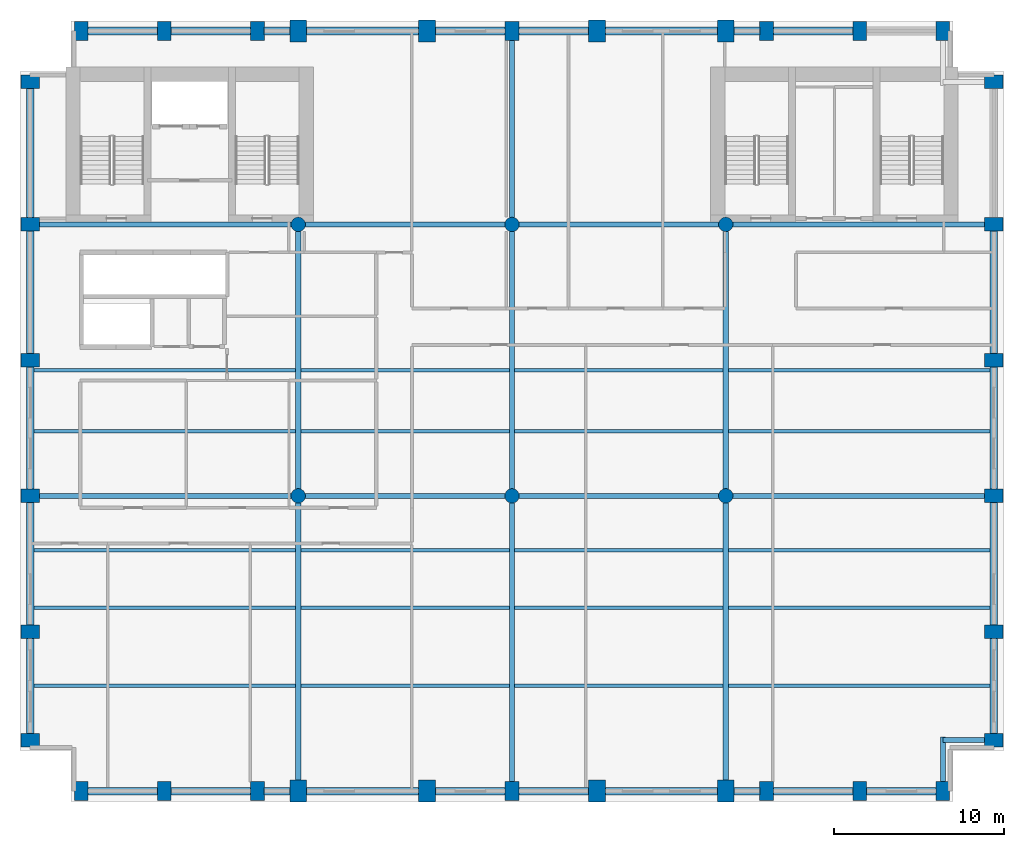
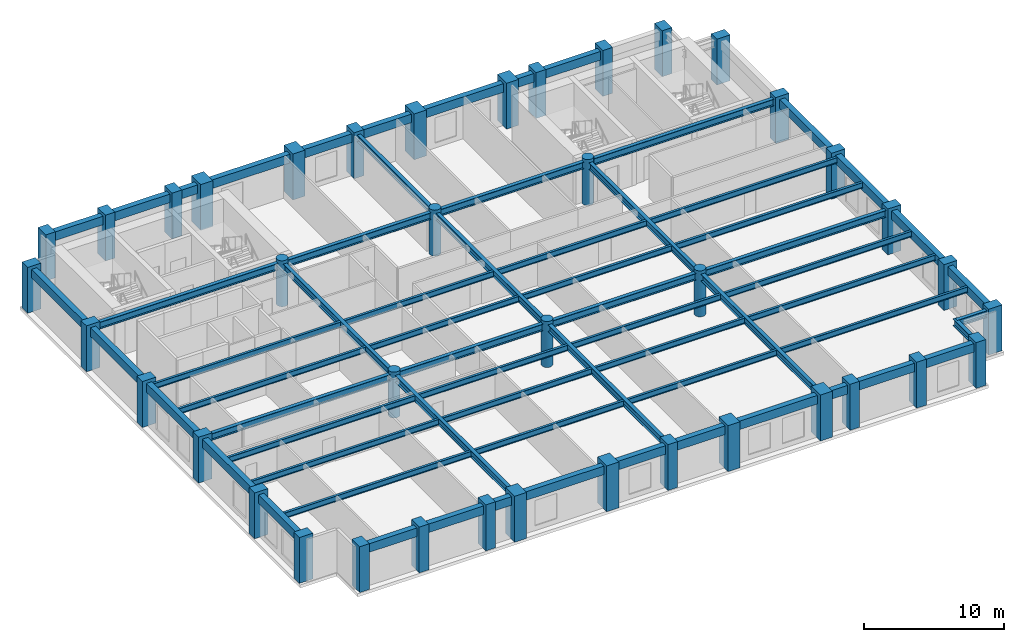
# One storey, part 1 of 8: 65 beams, 40 columns.
"""IFC4 building model written with IfcOpenShell, lengths in metres."""

from ifc_helpers import new_model, si_unit, direction, frame, origin, origin_2d, place, context, subcontext, project, spatial, rectangle, circle, i_section, extrude, material, material_profile, profile_set, type_object, element, save


model = new_model("IFC4")

# Units and contexts
model_context = context("Model", 3, precision=1e-05, world=origin(), true_north=direction((0.0, 1.0)))
body_context = subcontext(model_context, "Body", "Model", "MODEL_VIEW")
ifc_project = project(units=[si_unit("LENGTHUNIT", "METRE"), si_unit("AREAUNIT", "SQUARE_METRE"), si_unit("VOLUMEUNIT", "CUBIC_METRE"), si_unit("PLANEANGLEUNIT", "RADIAN"), si_unit("MASSUNIT", "GRAM", prefix="KILO")], contexts=[model_context])

# Site, building, storey
site_placement = place(None, origin())
site = spatial("IfcSite", under=ifc_project, at=site_placement, CompositionType="ELEMENT")
building_placement = place(site_placement, origin())
building = spatial("IfcBuilding", under=site, at=building_placement, Name="Sulina Concourse Tower", CompositionType="ELEMENT")
storey_placement = place(building_placement, frame((0.0, 0.0, 174.60009765625)))
storey = spatial("IfcBuildingStorey", under=building, at=storey_placement, Name="L42", CompositionType="ELEMENT", Elevation=174.60009765625)

# Columns
ifc_material_1 = material(Name="Precast concrete C60/75", Category="concrete")
ifc_material_profile_1 = material_profile(ifc_material_1, rectangle(XDim=0.800048828125, YDim=1.10009765625, at=origin_2d()), Name="PC 800x1100")
ifc_profile_set_1 = profile_set([ifc_material_profile_1], Name="Precast concrete C60/75")
column_type_1 = type_object("IfcColumnType", Name="Precast Tube Pier Zone 3 800x1100", PredefinedType="COLUMN", material=ifc_profile_set_1)
for number, where, z_axis, x_axis, name in (
    (1, (3.60009765625, 0.60009765625, 0.0), (0.0, 0.0, 1.0), (1.0, 0.0, 0.0), "L42 structural column TP-S-36"),
    (2, (3.60009765625, 45.39990234375, 0.0), (0.0, 0.0, 1.0), (1.0, 0.0, 0.0), "L42 structural column TP-N-36"),
    (3, (8.5, 0.60009765625, 0.0), (0.0, 0.0, 1.0), (1.0, 0.0, 0.0), "L42 structural column TP-S-85"),
    (4, (8.5, 45.39990234375, 0.0), (0.0, 0.0, 1.0), (1.0, 0.0, 0.0), "L42 structural column TP-N-85"),
    (5, (14.0, 0.60009765625, 0.0), (0.0, 0.0, 1.0), (1.0, 0.0, 0.0), "L42 structural column TP-S-140"),
    (6, (14.0, 45.39990234375, 0.0), (0.0, 0.0, 1.0), (1.0, 0.0, 0.0), "L42 structural column TP-N-140"),
    (7, (29.0, 0.60009765625, 0.0), (0.0, 0.0, 1.0), (1.0, 0.0, 0.0), "L42 structural column TP-S-290"),
    (8, (29.0, 45.39990234375, 0.0), (0.0, 0.0, 1.0), (1.0, 0.0, 0.0), "L42 structural column TP-N-290"),
    (9, (44.0, 0.60009765625, 0.0), (0.0, 0.0, 1.0), (1.0, 0.0, 0.0), "L42 structural column TP-S-440"),
    (10, (44.0, 45.39990234375, 0.0), (0.0, 0.0, 1.0), (1.0, 0.0, 0.0), "L42 structural column TP-N-440"),
    (11, (49.5, 0.60009765625, 0.0), (0.0, 0.0, 1.0), (1.0, 0.0, 0.0), "L42 structural column TP-S-495"),
    (12, (49.5, 45.39990234375, 0.0), (0.0, 0.0, 1.0), (1.0, 0.0, 0.0), "L42 structural column TP-N-495"),
    (13, (54.39990234375, 0.60009765625, 0.0), (0.0, 0.0, 1.0), (1.0, 0.0, 0.0), "L42 structural column TP-S-544"),
    (14, (54.39990234375, 45.39990234375, 0.0), (0.0, 0.0, 1.0), (1.0, 0.0, 0.0), "L42 structural column TP-N-544"),
    (15, (0.60009765625, 3.60009765625, 0.0), (0.0, 0.0, 1.0), (0.0, 1.0, 0.0), "L42 structural column TP-W-36"),
    (16, (57.39990234375, 3.60009765625, 0.0), (0.0, 0.0, 1.0), (0.0, 1.0, 0.0), "L42 structural column TP-E-36"),
    (17, (0.60009765625, 10.0, 0.0), (0.0, 0.0, 1.0), (0.0, 1.0, 0.0), "L42 structural column TP-W-100"),
    (18, (57.39990234375, 10.0, 0.0), (0.0, 0.0, 1.0), (0.0, 1.0, 0.0), "L42 structural column TP-E-100"),
    (19, (0.60009765625, 18.0, 0.0), (0.0, 0.0, 1.0), (0.0, 1.0, 0.0), "L42 structural column TP-W-180"),
    (20, (57.39990234375, 18.0, 0.0), (0.0, 0.0, 1.0), (0.0, 1.0, 0.0), "L42 structural column TP-E-180"),
    (21, (0.60009765625, 26.0, 0.0), (0.0, 0.0, 1.0), (0.0, 1.0, 0.0), "L42 structural column TP-W-260"),
    (22, (57.39990234375, 26.0, 0.0), (0.0, 0.0, 1.0), (0.0, 1.0, 0.0), "L42 structural column TP-E-260"),
    (23, (0.60009765625, 34.0, 0.0), (0.0, 0.0, 1.0), (0.0, 1.0, 0.0), "L42 structural column TP-W-340"),
    (24, (57.39990234375, 34.0, 0.0), (0.0, 0.0, 1.0), (0.0, 1.0, 0.0), "L42 structural column TP-E-340"),
    (25, (0.60009765625, 42.39990234375, 0.0), (0.0, 0.0, 1.0), (0.0, 1.0, 0.0), "L42 structural column TP-W-424"),
    (26, (57.39990234375, 42.39990234375, 0.0), (0.0, 0.0, 1.0), (0.0, 1.0, 0.0), "L42 structural column TP-E-424"),
):
    element("IfcColumn", number, at=place(storey_placement, frame(where, z_axis=z_axis, x_axis=x_axis)), inside=storey, type_object=column_type_1, Name=name, PredefinedType="COLUMN", context=body_context, shape_type="SweptSolid", body=[
        extrude(rectangle(XDim=0.800048828125, YDim=1.10009765625, at=origin_2d()), origin(), (0.0, 0.0, 1.0), 4.0),
    ])
ifc_material_2 = material(Name="Concrete C50/60", Category="concrete")
ifc_material_profile_2 = material_profile(ifc_material_2, circle(Radius=0.425048828125, at=origin_2d()), Name="RC D850")
ifc_profile_set_2 = profile_set([ifc_material_profile_2], Name="Concrete C50/60")
column_type_2 = type_object("IfcColumnType", Name="Upper Interior Circular Column D850", PredefinedType="COLUMN", material=ifc_profile_set_2)
for number, where, z_axis, x_axis, name in (
    (27, (16.39990234375, 18.0, 0.0), (0.0, 0.0, 1.0), (1.0, 0.0, 0.0), "L42 structural column IC-M-164"),
    (28, (16.39990234375, 34.0, 0.0), (0.0, 0.0, 1.0), (1.0, 0.0, 0.0), "L42 structural column IC-N-164"),
    (29, (29.0, 18.0, 0.0), (0.0, 0.0, 1.0), (1.0, 0.0, 0.0), "L42 structural column IC-M-290"),
    (30, (29.0, 34.0, 0.0), (0.0, 0.0, 1.0), (1.0, 0.0, 0.0), "L42 structural column IC-N-290"),
    (31, (41.60009765625, 18.0, 0.0), (0.0, 0.0, 1.0), (1.0, 0.0, 0.0), "L42 structural column IC-M-416"),
    (32, (41.60009765625, 34.0, 0.0), (0.0, 0.0, 1.0), (1.0, 0.0, 0.0), "L42 structural column IC-N-416"),
):
    element("IfcColumn", number, at=place(storey_placement, frame(where, z_axis=z_axis, x_axis=x_axis)), inside=storey, type_object=column_type_2, Name=name, PredefinedType="COLUMN", context=body_context, shape_type="SweptSolid", body=[
        extrude(circle(Radius=0.425048828125, at=origin_2d()), origin(), (0.0, 0.0, 1.0), 4.0),
    ])
ifc_material_3 = material(Name="Concrete C60/75", Category="concrete")
ifc_material_profile_3 = material_profile(ifc_material_3, rectangle(XDim=1.0, YDim=1.300048828125, at=origin_2d()), Name="RC 1000x1300")
ifc_profile_set_3 = profile_set([ifc_material_profile_3], Name="Concrete C60/75")
column_type_3 = type_object("IfcColumnType", Name="Upper Portal Column 1000x1300", PredefinedType="COLUMN", material=ifc_profile_set_3)
for number, where, z_axis, x_axis, name in (
    (33, (16.39990234375, 0.60009765625, 0.0), (0.0, 0.0, 1.0), (1.0, 0.0, 0.0), "L42 structural column TP-S-164"),
    (34, (16.39990234375, 45.39990234375, 0.0), (0.0, 0.0, 1.0), (1.0, 0.0, 0.0), "L42 structural column TP-N-164"),
    (35, (24.0, 0.60009765625, 0.0), (0.0, 0.0, 1.0), (1.0, 0.0, 0.0), "L42 structural column TP-S-240"),
    (36, (24.0, 45.39990234375, 0.0), (0.0, 0.0, 1.0), (1.0, 0.0, 0.0), "L42 structural column TP-N-240"),
    (37, (34.0, 0.60009765625, 0.0), (0.0, 0.0, 1.0), (1.0, 0.0, 0.0), "L42 structural column TP-S-340"),
    (38, (34.0, 45.39990234375, 0.0), (0.0, 0.0, 1.0), (1.0, 0.0, 0.0), "L42 structural column TP-N-340"),
    (39, (41.60009765625, 0.60009765625, 0.0), (0.0, 0.0, 1.0), (1.0, 0.0, 0.0), "L42 structural column TP-S-416"),
    (40, (41.60009765625, 45.39990234375, 0.0), (0.0, 0.0, 1.0), (1.0, 0.0, 0.0), "L42 structural column TP-N-416"),
):
    element("IfcColumn", number, at=place(storey_placement, frame(where, z_axis=z_axis, x_axis=x_axis)), inside=storey, type_object=column_type_3, Name=name, PredefinedType="COLUMN", context=body_context, shape_type="SweptSolid", body=[
        extrude(rectangle(XDim=1.0, YDim=1.300048828125, at=origin_2d()), origin(), (0.0, 0.0, 1.0), 4.0),
    ])

# Beams
ifc_material_4 = material(Name="Steel S355", Category="steel")
ifc_material_profile_4 = material_profile(ifc_material_4, i_section(OverallWidth=0.199951171875, OverallDepth=0.5, WebThickness=0.01025390625, FlangeThickness=0.01611328125, at=origin_2d()), Name="IPE 500")
ifc_profile_set_4 = profile_set([ifc_material_profile_4], Name="Steel S355")
beam_type_1 = type_object("IfcBeamType", Name="Composite Floor Joist IPE500", PredefinedType="JOIST", material=ifc_profile_set_4)
beam_1_placement = place(storey_placement, frame((0.824951171875, 6.800048828125, 3.474853515625), z_axis=(1.0, 0.0, 0.0), x_axis=(0.0, 1.0, 0.0)))
element("IfcBeam", 41, at=beam_1_placement, inside=storey, type_object=beam_type_1, Name="FJ-J06-1-L42", PredefinedType="JOIST", context=body_context, shape_type="SweptSolid", body=[
    extrude(i_section(OverallWidth=0.199951171875, OverallDepth=0.5, WebThickness=0.01025390625, FlangeThickness=0.01611328125, at=origin_2d()), origin(), (0.0, 0.0, 1.0), 15.425048828125),
])
for number, where, z_axis, x_axis, name in (
    (42, (16.550048828125, 6.800048828125, 3.474853515625), (1.0, 0.0, 0.0), (0.0, 1.0, 0.0), "FJ-J06-2-L42"),
    (43, (29.14990234375, 6.800048828125, 3.474853515625), (1.0, 0.0, 0.0), (0.0, 1.0, 0.0), "FJ-J06-3-L42"),
):
    element("IfcBeam", number, at=place(storey_placement, frame(where, z_axis=z_axis, x_axis=x_axis)), inside=storey, type_object=beam_type_1, Name=name, PredefinedType="JOIST", context=body_context, shape_type="SweptSolid", body=[
        extrude(i_section(OverallWidth=0.199951171875, OverallDepth=0.5, WebThickness=0.01025390625, FlangeThickness=0.01611328125, at=origin_2d()), origin(), (0.0, 0.0, 1.0), 12.300048828125),
    ])
for number, where, z_axis, x_axis, name in (
    (44, (41.75, 6.800048828125, 3.474853515625), (1.0, 0.0, 0.0), (0.0, 1.0, 0.0), "FJ-J06-4-L42"),
    (45, (0.824951171875, 11.39990234375, 3.474853515625), (1.0, 0.0, 0.0), (0.0, 1.0, 0.0), "FJ-J11-1-L42"),
):
    element("IfcBeam", number, at=place(storey_placement, frame(where, z_axis=z_axis, x_axis=x_axis)), inside=storey, type_object=beam_type_1, Name=name, PredefinedType="JOIST", context=body_context, shape_type="SweptSolid", body=[
        extrude(i_section(OverallWidth=0.199951171875, OverallDepth=0.5, WebThickness=0.01025390625, FlangeThickness=0.01611328125, at=origin_2d()), origin(), (0.0, 0.0, 1.0), 15.425048828125),
    ])
for number, where, z_axis, x_axis, name in (
    (46, (16.550048828125, 11.39990234375, 3.474853515625), (1.0, 0.0, 0.0), (0.0, 1.0, 0.0), "FJ-J11-2-L42"),
    (47, (29.14990234375, 11.39990234375, 3.474853515625), (1.0, 0.0, 0.0), (0.0, 1.0, 0.0), "FJ-J11-3-L42"),
):
    element("IfcBeam", number, at=place(storey_placement, frame(where, z_axis=z_axis, x_axis=x_axis)), inside=storey, type_object=beam_type_1, Name=name, PredefinedType="JOIST", context=body_context, shape_type="SweptSolid", body=[
        extrude(i_section(OverallWidth=0.199951171875, OverallDepth=0.5, WebThickness=0.01025390625, FlangeThickness=0.01611328125, at=origin_2d()), origin(), (0.0, 0.0, 1.0), 12.300048828125),
    ])
for number, where, z_axis, x_axis, name in (
    (48, (41.75, 11.39990234375, 3.474853515625), (1.0, 0.0, 0.0), (0.0, 1.0, 0.0), "FJ-J11-4-L42"),
    (49, (0.824951171875, 14.800048828125, 3.474853515625), (1.0, 0.0, 0.0), (0.0, 1.0, 0.0), "FJ-J15-1-L42"),
):
    element("IfcBeam", number, at=place(storey_placement, frame(where, z_axis=z_axis, x_axis=x_axis)), inside=storey, type_object=beam_type_1, Name=name, PredefinedType="JOIST", context=body_context, shape_type="SweptSolid", body=[
        extrude(i_section(OverallWidth=0.199951171875, OverallDepth=0.5, WebThickness=0.01025390625, FlangeThickness=0.01611328125, at=origin_2d()), origin(), (0.0, 0.0, 1.0), 15.425048828125),
    ])
for number, where, z_axis, x_axis, name in (
    (50, (16.550048828125, 14.800048828125, 3.474853515625), (1.0, 0.0, 0.0), (0.0, 1.0, 0.0), "FJ-J15-2-L42"),
    (51, (29.14990234375, 14.800048828125, 3.474853515625), (1.0, 0.0, 0.0), (0.0, 1.0, 0.0), "FJ-J15-3-L42"),
):
    element("IfcBeam", number, at=place(storey_placement, frame(where, z_axis=z_axis, x_axis=x_axis)), inside=storey, type_object=beam_type_1, Name=name, PredefinedType="JOIST", context=body_context, shape_type="SweptSolid", body=[
        extrude(i_section(OverallWidth=0.199951171875, OverallDepth=0.5, WebThickness=0.01025390625, FlangeThickness=0.01611328125, at=origin_2d()), origin(), (0.0, 0.0, 1.0), 12.300048828125),
    ])
for number, where, z_axis, x_axis, name in (
    (52, (41.75, 14.800048828125, 3.474853515625), (1.0, 0.0, 0.0), (0.0, 1.0, 0.0), "FJ-J15-4-L42"),
    (53, (0.824951171875, 21.800048828125, 3.474853515625), (1.0, 0.0, 0.0), (0.0, 1.0, 0.0), "FJ-J22-1-L42"),
):
    element("IfcBeam", number, at=place(storey_placement, frame(where, z_axis=z_axis, x_axis=x_axis)), inside=storey, type_object=beam_type_1, Name=name, PredefinedType="JOIST", context=body_context, shape_type="SweptSolid", body=[
        extrude(i_section(OverallWidth=0.199951171875, OverallDepth=0.5, WebThickness=0.01025390625, FlangeThickness=0.01611328125, at=origin_2d()), origin(), (0.0, 0.0, 1.0), 15.425048828125),
    ])
for number, where, z_axis, x_axis, name in (
    (54, (16.550048828125, 21.800048828125, 3.474853515625), (1.0, 0.0, 0.0), (0.0, 1.0, 0.0), "FJ-J22-2-L42"),
    (55, (29.14990234375, 21.800048828125, 3.474853515625), (1.0, 0.0, 0.0), (0.0, 1.0, 0.0), "FJ-J22-3-L42"),
):
    element("IfcBeam", number, at=place(storey_placement, frame(where, z_axis=z_axis, x_axis=x_axis)), inside=storey, type_object=beam_type_1, Name=name, PredefinedType="JOIST", context=body_context, shape_type="SweptSolid", body=[
        extrude(i_section(OverallWidth=0.199951171875, OverallDepth=0.5, WebThickness=0.01025390625, FlangeThickness=0.01611328125, at=origin_2d()), origin(), (0.0, 0.0, 1.0), 12.300048828125),
    ])
for number, where, z_axis, x_axis, name in (
    (56, (41.75, 21.800048828125, 3.474853515625), (1.0, 0.0, 0.0), (0.0, 1.0, 0.0), "FJ-J22-4-L42"),
    (57, (0.824951171875, 25.39990234375, 3.474853515625), (1.0, 0.0, 0.0), (0.0, 1.0, 0.0), "FJ-J25-1-L42"),
):
    element("IfcBeam", number, at=place(storey_placement, frame(where, z_axis=z_axis, x_axis=x_axis)), inside=storey, type_object=beam_type_1, Name=name, PredefinedType="JOIST", context=body_context, shape_type="SweptSolid", body=[
        extrude(i_section(OverallWidth=0.199951171875, OverallDepth=0.5, WebThickness=0.01025390625, FlangeThickness=0.01611328125, at=origin_2d()), origin(), (0.0, 0.0, 1.0), 15.425048828125),
    ])
for number, where, z_axis, x_axis, name in (
    (58, (16.550048828125, 25.39990234375, 3.474853515625), (1.0, 0.0, 0.0), (0.0, 1.0, 0.0), "FJ-J25-2-L42"),
    (59, (29.14990234375, 25.39990234375, 3.474853515625), (1.0, 0.0, 0.0), (0.0, 1.0, 0.0), "FJ-J25-3-L42"),
):
    element("IfcBeam", number, at=place(storey_placement, frame(where, z_axis=z_axis, x_axis=x_axis)), inside=storey, type_object=beam_type_1, Name=name, PredefinedType="JOIST", context=body_context, shape_type="SweptSolid", body=[
        extrude(i_section(OverallWidth=0.199951171875, OverallDepth=0.5, WebThickness=0.01025390625, FlangeThickness=0.01611328125, at=origin_2d()), origin(), (0.0, 0.0, 1.0), 12.300048828125),
    ])
beam_2_placement = place(storey_placement, frame((41.75, 25.39990234375, 3.474853515625), z_axis=(1.0, 0.0, 0.0), x_axis=(0.0, 1.0, 0.0)))
element("IfcBeam", 60, at=beam_2_placement, inside=storey, type_object=beam_type_1, Name="FJ-J25-4-L42", PredefinedType="JOIST", context=body_context, shape_type="SweptSolid", body=[
    extrude(i_section(OverallWidth=0.199951171875, OverallDepth=0.5, WebThickness=0.01025390625, FlangeThickness=0.01611328125, at=origin_2d()), origin(), (0.0, 0.0, 1.0), 15.425048828125),
])
ifc_material_5 = material(Name="Steel S355", Category="steel")
ifc_material_profile_5 = material_profile(ifc_material_5, i_section(OverallWidth=0.300048828125, OverallDepth=0.60009765625, WebThickness=0.015380859375, FlangeThickness=0.030029296875, at=origin_2d()), Name="HE 600 B")
ifc_profile_set_5 = profile_set([ifc_material_profile_5], Name="Steel S355")
beam_type_2 = type_object("IfcBeamType", Name="Floor Primary Girder Zone 3 HE600B", PredefinedType="BEAM", material=ifc_profile_set_5)
beam_3_placement = place(storey_placement, frame((54.39990234375, 3.60009765625, 3.4248046875), z_axis=(1.0, 0.0, 0.0), x_axis=(0.0, 1.0, 0.0)))
element("IfcBeam", 61, at=beam_3_placement, inside=storey, type_object=beam_type_2, Name="TIE-SE-L42", PredefinedType="BEAM", context=body_context, shape_type="SweptSolid", body=[
    extrude(i_section(OverallWidth=0.300048828125, OverallDepth=0.60009765625, WebThickness=0.015380859375, FlangeThickness=0.030029296875, at=origin_2d()), origin(), (0.0, 0.0, 1.0), 2.6201171875),
])
beam_4_placement = place(storey_placement, frame((54.39990234375, 0.97998046875, 3.4248046875), z_axis=(0.0, 1.0, 0.0), x_axis=(-1.0, 0.0, 0.0)))
element("IfcBeam", 62, at=beam_4_placement, inside=storey, type_object=beam_type_2, Name="TIE-SES-L42", PredefinedType="BEAM", context=body_context, shape_type="SweptSolid", body=[
    extrude(i_section(OverallWidth=0.300048828125, OverallDepth=0.60009765625, WebThickness=0.015380859375, FlangeThickness=0.030029296875, at=origin_2d()), origin(), (0.0, 0.0, 1.0), 2.820068359375),
])
beam_5_placement = place(storey_placement, frame((0.97998046875, 18.0, 3.4248046875), z_axis=(1.0, 0.0, 0.0), x_axis=(0.0, 1.0, 0.0)))
element("IfcBeam", 63, at=beam_5_placement, inside=storey, type_object=beam_type_2, Name="FG-EW1-L42", PredefinedType="BEAM", context=body_context, shape_type="SweptSolid", body=[
    extrude(i_section(OverallWidth=0.300048828125, OverallDepth=0.60009765625, WebThickness=0.015380859375, FlangeThickness=0.030029296875, at=origin_2d()), origin(), (0.0, 0.0, 1.0), 15.01513671875),
])
for number, where, z_axis, x_axis, name in (
    (64, (16.804931640625, 18.0, 3.4248046875), (1.0, 0.0, 0.0), (0.0, 1.0, 0.0), "FG-EW2-L42"),
    (65, (29.405029296875, 18.0, 3.4248046875), (1.0, 0.0, 0.0), (0.0, 1.0, 0.0), "FG-EW3-L42"),
):
    element("IfcBeam", number, at=place(storey_placement, frame(where, z_axis=z_axis, x_axis=x_axis)), inside=storey, type_object=beam_type_2, Name=name, PredefinedType="BEAM", context=body_context, shape_type="SweptSolid", body=[
        extrude(i_section(OverallWidth=0.300048828125, OverallDepth=0.60009765625, WebThickness=0.015380859375, FlangeThickness=0.030029296875, at=origin_2d()), origin(), (0.0, 0.0, 1.0), 11.7900390625),
    ])
for number, where, z_axis, x_axis, name in (
    (66, (42.0048828125, 18.0, 3.4248046875), (1.0, 0.0, 0.0), (0.0, 1.0, 0.0), "FG-EW4-L42"),
    (67, (0.97998046875, 34.0, 3.4248046875), (1.0, 0.0, 0.0), (0.0, 1.0, 0.0), "FG-EWN1-L42"),
):
    element("IfcBeam", number, at=place(storey_placement, frame(where, z_axis=z_axis, x_axis=x_axis)), inside=storey, type_object=beam_type_2, Name=name, PredefinedType="BEAM", context=body_context, shape_type="SweptSolid", body=[
        extrude(i_section(OverallWidth=0.300048828125, OverallDepth=0.60009765625, WebThickness=0.015380859375, FlangeThickness=0.030029296875, at=origin_2d()), origin(), (0.0, 0.0, 1.0), 15.01513671875),
    ])
for number, where, z_axis, x_axis, name in (
    (68, (16.804931640625, 34.0, 3.4248046875), (1.0, 0.0, 0.0), (0.0, 1.0, 0.0), "FG-EWN2-L42"),
    (69, (29.405029296875, 34.0, 3.4248046875), (1.0, 0.0, 0.0), (0.0, 1.0, 0.0), "FG-EWN3-L42"),
):
    element("IfcBeam", number, at=place(storey_placement, frame(where, z_axis=z_axis, x_axis=x_axis)), inside=storey, type_object=beam_type_2, Name=name, PredefinedType="BEAM", context=body_context, shape_type="SweptSolid", body=[
        extrude(i_section(OverallWidth=0.300048828125, OverallDepth=0.60009765625, WebThickness=0.015380859375, FlangeThickness=0.030029296875, at=origin_2d()), origin(), (0.0, 0.0, 1.0), 11.7900390625),
    ])
beam_6_placement = place(storey_placement, frame((42.0048828125, 34.0, 3.4248046875), z_axis=(1.0, 0.0, 0.0), x_axis=(0.0, 1.0, 0.0)))
element("IfcBeam", 70, at=beam_6_placement, inside=storey, type_object=beam_type_2, Name="FG-EWN4-L42", PredefinedType="BEAM", context=body_context, shape_type="SweptSolid", body=[
    extrude(i_section(OverallWidth=0.300048828125, OverallDepth=0.60009765625, WebThickness=0.015380859375, FlangeThickness=0.030029296875, at=origin_2d()), origin(), (0.0, 0.0, 1.0), 15.01513671875),
])
beam_7_placement = place(storey_placement, frame((16.39990234375, 1.080078125, 3.4248046875), z_axis=(0.0, 1.0, 0.0), x_axis=(-1.0, 0.0, 0.0)))
element("IfcBeam", 71, at=beam_7_placement, inside=storey, type_object=beam_type_2, Name="FG-NSA-16-L42", PredefinedType="BEAM", context=body_context, shape_type="SweptSolid", body=[
    extrude(i_section(OverallWidth=0.300048828125, OverallDepth=0.60009765625, WebThickness=0.015380859375, FlangeThickness=0.030029296875, at=origin_2d()), origin(), (0.0, 0.0, 1.0), 16.514892578125),
])
beam_8_placement = place(storey_placement, frame((16.39990234375, 18.405029296875, 3.4248046875), z_axis=(0.0, 1.0, 0.0), x_axis=(-1.0, 0.0, 0.0)))
element("IfcBeam", 72, at=beam_8_placement, inside=storey, type_object=beam_type_2, Name="FG-NSB-16-L42", PredefinedType="BEAM", context=body_context, shape_type="SweptSolid", body=[
    extrude(i_section(OverallWidth=0.300048828125, OverallDepth=0.60009765625, WebThickness=0.015380859375, FlangeThickness=0.030029296875, at=origin_2d()), origin(), (0.0, 0.0, 1.0), 15.18994140625),
])
beam_9_placement = place(storey_placement, frame((29.0, 0.97998046875, 3.4248046875), z_axis=(0.0, 1.0, 0.0), x_axis=(-1.0, 0.0, 0.0)))
element("IfcBeam", 73, at=beam_9_placement, inside=storey, type_object=beam_type_2, Name="FG-NSA-29-L42", PredefinedType="BEAM", context=body_context, shape_type="SweptSolid", body=[
    extrude(i_section(OverallWidth=0.300048828125, OverallDepth=0.60009765625, WebThickness=0.015380859375, FlangeThickness=0.030029296875, at=origin_2d()), origin(), (0.0, 0.0, 1.0), 16.614990234375),
])
beam_10_placement = place(storey_placement, frame((29.0, 18.405029296875, 3.4248046875), z_axis=(0.0, 1.0, 0.0), x_axis=(-1.0, 0.0, 0.0)))
element("IfcBeam", 74, at=beam_10_placement, inside=storey, type_object=beam_type_2, Name="FG-NSB-29-L42", PredefinedType="BEAM", context=body_context, shape_type="SweptSolid", body=[
    extrude(i_section(OverallWidth=0.300048828125, OverallDepth=0.60009765625, WebThickness=0.015380859375, FlangeThickness=0.030029296875, at=origin_2d()), origin(), (0.0, 0.0, 1.0), 15.18994140625),
])
beam_11_placement = place(storey_placement, frame((29.0, 34.405029296875, 3.4248046875), z_axis=(0.0, 1.0, 0.0), x_axis=(-1.0, 0.0, 0.0)))
element("IfcBeam", 75, at=beam_11_placement, inside=storey, type_object=beam_type_2, Name="FG-NSC-29-L42", PredefinedType="BEAM", context=body_context, shape_type="SweptSolid", body=[
    extrude(i_section(OverallWidth=0.300048828125, OverallDepth=0.60009765625, WebThickness=0.015380859375, FlangeThickness=0.030029296875, at=origin_2d()), origin(), (0.0, 0.0, 1.0), 10.614990234375),
])
beam_12_placement = place(storey_placement, frame((41.60009765625, 1.080078125, 3.4248046875), z_axis=(0.0, 1.0, 0.0), x_axis=(-1.0, 0.0, 0.0)))
element("IfcBeam", 76, at=beam_12_placement, inside=storey, type_object=beam_type_2, Name="FG-NSA-41-L42", PredefinedType="BEAM", context=body_context, shape_type="SweptSolid", body=[
    extrude(i_section(OverallWidth=0.300048828125, OverallDepth=0.60009765625, WebThickness=0.015380859375, FlangeThickness=0.030029296875, at=origin_2d()), origin(), (0.0, 0.0, 1.0), 16.514892578125),
])
beam_13_placement = place(storey_placement, frame((41.60009765625, 18.405029296875, 3.4248046875), z_axis=(0.0, 1.0, 0.0), x_axis=(-1.0, 0.0, 0.0)))
element("IfcBeam", 77, at=beam_13_placement, inside=storey, type_object=beam_type_2, Name="FG-NSB-41-L42", PredefinedType="BEAM", context=body_context, shape_type="SweptSolid", body=[
    extrude(i_section(OverallWidth=0.300048828125, OverallDepth=0.60009765625, WebThickness=0.015380859375, FlangeThickness=0.030029296875, at=origin_2d()), origin(), (0.0, 0.0, 1.0), 15.18994140625),
])
ifc_material_6 = material(Name="Precast concrete C50/60", Category="concrete")
ifc_material_profile_6 = material_profile(ifc_material_6, rectangle(XDim=0.449951171875, YDim=0.75, at=origin_2d()), Name="RC 450x750")
ifc_profile_set_6 = profile_set([ifc_material_profile_6], Name="Precast concrete C50/60")
beam_type_3 = type_object("IfcBeamType", Name="Upper Precast Spandrel Edge Beam 450x750", PredefinedType="BEAM", material=ifc_profile_set_6)
beam_14_placement = place(storey_placement, frame((3.97998046875, 0.60009765625, 3.349853515625), z_axis=(1.0, 0.0, 0.0), x_axis=(0.0, 1.0, 0.0)))
element("IfcBeam", 78, at=beam_14_placement, inside=storey, type_object=beam_type_3, Name="SP-S1-L42", PredefinedType="BEAM", context=body_context, shape_type="SweptSolid", body=[
    extrude(rectangle(XDim=0.449951171875, YDim=0.75, at=origin_2d()), origin(), (0.0, 0.0, 1.0), 4.14013671875),
])
beam_15_placement = place(storey_placement, frame((8.8798828125, 0.60009765625, 3.349853515625), z_axis=(1.0, 0.0, 0.0), x_axis=(0.0, 1.0, 0.0)))
element("IfcBeam", 79, at=beam_15_placement, inside=storey, type_object=beam_type_3, Name="SP-S2-L42", PredefinedType="BEAM", context=body_context, shape_type="SweptSolid", body=[
    extrude(rectangle(XDim=0.449951171875, YDim=0.75, at=origin_2d()), origin(), (0.0, 0.0, 1.0), 4.740234375),
])
beam_16_placement = place(storey_placement, frame((14.3798828125, 0.60009765625, 3.349853515625), z_axis=(1.0, 0.0, 0.0), x_axis=(0.0, 1.0, 0.0)))
element("IfcBeam", 80, at=beam_16_placement, inside=storey, type_object=beam_type_3, Name="SP-S3-L42", PredefinedType="BEAM", context=body_context, shape_type="SweptSolid", body=[
    extrude(rectangle(XDim=0.449951171875, YDim=0.75, at=origin_2d()), origin(), (0.0, 0.0, 1.0), 1.5400390625),
])
beam_17_placement = place(storey_placement, frame((16.8798828125, 0.60009765625, 3.349853515625), z_axis=(1.0, 0.0, 0.0), x_axis=(0.0, 1.0, 0.0)))
element("IfcBeam", 81, at=beam_17_placement, inside=storey, type_object=beam_type_3, Name="SP-S4-L42", PredefinedType="BEAM", context=body_context, shape_type="SweptSolid", body=[
    extrude(rectangle(XDim=0.449951171875, YDim=0.75, at=origin_2d()), origin(), (0.0, 0.0, 1.0), 6.64013671875),
])
for number, where, z_axis, x_axis, name in (
    (82, (24.47998046875, 0.60009765625, 3.349853515625), (1.0, 0.0, 0.0), (0.0, 1.0, 0.0), "SP-S5-L42"),
    (83, (29.3798828125, 0.60009765625, 3.349853515625), (1.0, 0.0, 0.0), (0.0, 1.0, 0.0), "SP-S6-L42"),
):
    element("IfcBeam", number, at=place(storey_placement, frame(where, z_axis=z_axis, x_axis=x_axis)), inside=storey, type_object=beam_type_3, Name=name, PredefinedType="BEAM", context=body_context, shape_type="SweptSolid", body=[
        extrude(rectangle(XDim=0.449951171875, YDim=0.75, at=origin_2d()), origin(), (0.0, 0.0, 1.0), 4.14013671875),
    ])
beam_18_placement = place(storey_placement, frame((34.47998046875, 0.60009765625, 3.349853515625), z_axis=(1.0, 0.0, 0.0), x_axis=(0.0, 1.0, 0.0)))
element("IfcBeam", 84, at=beam_18_placement, inside=storey, type_object=beam_type_3, Name="SP-S7-L42", PredefinedType="BEAM", context=body_context, shape_type="SweptSolid", body=[
    extrude(rectangle(XDim=0.449951171875, YDim=0.75, at=origin_2d()), origin(), (0.0, 0.0, 1.0), 6.64013671875),
])
beam_19_placement = place(storey_placement, frame((42.080078125, 0.60009765625, 3.349853515625), z_axis=(1.0, 0.0, 0.0), x_axis=(0.0, 1.0, 0.0)))
element("IfcBeam", 85, at=beam_19_placement, inside=storey, type_object=beam_type_3, Name="SP-S8-L42", PredefinedType="BEAM", context=body_context, shape_type="SweptSolid", body=[
    extrude(rectangle(XDim=0.449951171875, YDim=0.75, at=origin_2d()), origin(), (0.0, 0.0, 1.0), 1.5400390625),
])
beam_20_placement = place(storey_placement, frame((44.3798828125, 0.60009765625, 3.349853515625), z_axis=(1.0, 0.0, 0.0), x_axis=(0.0, 1.0, 0.0)))
element("IfcBeam", 86, at=beam_20_placement, inside=storey, type_object=beam_type_3, Name="SP-S9-L42", PredefinedType="BEAM", context=body_context, shape_type="SweptSolid", body=[
    extrude(rectangle(XDim=0.449951171875, YDim=0.75, at=origin_2d()), origin(), (0.0, 0.0, 1.0), 4.740234375),
])
for number, where, z_axis, x_axis, name in (
    (87, (49.8798828125, 0.60009765625, 3.349853515625), (1.0, 0.0, 0.0), (0.0, 1.0, 0.0), "SP-S10-L42"),
    (88, (3.97998046875, 45.39990234375, 3.349853515625), (1.0, 0.0, 0.0), (0.0, 1.0, 0.0), "SP-N1-L42"),
):
    element("IfcBeam", number, at=place(storey_placement, frame(where, z_axis=z_axis, x_axis=x_axis)), inside=storey, type_object=beam_type_3, Name=name, PredefinedType="BEAM", context=body_context, shape_type="SweptSolid", body=[
        extrude(rectangle(XDim=0.449951171875, YDim=0.75, at=origin_2d()), origin(), (0.0, 0.0, 1.0), 4.14013671875),
    ])
beam_21_placement = place(storey_placement, frame((8.8798828125, 45.39990234375, 3.349853515625), z_axis=(1.0, 0.0, 0.0), x_axis=(0.0, 1.0, 0.0)))
element("IfcBeam", 89, at=beam_21_placement, inside=storey, type_object=beam_type_3, Name="SP-N2-L42", PredefinedType="BEAM", context=body_context, shape_type="SweptSolid", body=[
    extrude(rectangle(XDim=0.449951171875, YDim=0.75, at=origin_2d()), origin(), (0.0, 0.0, 1.0), 4.740234375),
])
beam_22_placement = place(storey_placement, frame((14.3798828125, 45.39990234375, 3.349853515625), z_axis=(1.0, 0.0, 0.0), x_axis=(0.0, 1.0, 0.0)))
element("IfcBeam", 90, at=beam_22_placement, inside=storey, type_object=beam_type_3, Name="SP-N3-L42", PredefinedType="BEAM", context=body_context, shape_type="SweptSolid", body=[
    extrude(rectangle(XDim=0.449951171875, YDim=0.75, at=origin_2d()), origin(), (0.0, 0.0, 1.0), 1.5400390625),
])
beam_23_placement = place(storey_placement, frame((16.8798828125, 45.39990234375, 3.349853515625), z_axis=(1.0, 0.0, 0.0), x_axis=(0.0, 1.0, 0.0)))
element("IfcBeam", 91, at=beam_23_placement, inside=storey, type_object=beam_type_3, Name="SP-N4-L42", PredefinedType="BEAM", context=body_context, shape_type="SweptSolid", body=[
    extrude(rectangle(XDim=0.449951171875, YDim=0.75, at=origin_2d()), origin(), (0.0, 0.0, 1.0), 6.64013671875),
])
for number, where, z_axis, x_axis, name in (
    (92, (24.47998046875, 45.39990234375, 3.349853515625), (1.0, 0.0, 0.0), (0.0, 1.0, 0.0), "SP-N5-L42"),
    (93, (29.3798828125, 45.39990234375, 3.349853515625), (1.0, 0.0, 0.0), (0.0, 1.0, 0.0), "SP-N6-L42"),
):
    element("IfcBeam", number, at=place(storey_placement, frame(where, z_axis=z_axis, x_axis=x_axis)), inside=storey, type_object=beam_type_3, Name=name, PredefinedType="BEAM", context=body_context, shape_type="SweptSolid", body=[
        extrude(rectangle(XDim=0.449951171875, YDim=0.75, at=origin_2d()), origin(), (0.0, 0.0, 1.0), 4.14013671875),
    ])
beam_24_placement = place(storey_placement, frame((34.47998046875, 45.39990234375, 3.349853515625), z_axis=(1.0, 0.0, 0.0), x_axis=(0.0, 1.0, 0.0)))
element("IfcBeam", 94, at=beam_24_placement, inside=storey, type_object=beam_type_3, Name="SP-N7-L42", PredefinedType="BEAM", context=body_context, shape_type="SweptSolid", body=[
    extrude(rectangle(XDim=0.449951171875, YDim=0.75, at=origin_2d()), origin(), (0.0, 0.0, 1.0), 6.64013671875),
])
beam_25_placement = place(storey_placement, frame((42.080078125, 45.39990234375, 3.349853515625), z_axis=(1.0, 0.0, 0.0), x_axis=(0.0, 1.0, 0.0)))
element("IfcBeam", 95, at=beam_25_placement, inside=storey, type_object=beam_type_3, Name="SP-N8-L42", PredefinedType="BEAM", context=body_context, shape_type="SweptSolid", body=[
    extrude(rectangle(XDim=0.449951171875, YDim=0.75, at=origin_2d()), origin(), (0.0, 0.0, 1.0), 1.5400390625),
])
beam_26_placement = place(storey_placement, frame((44.3798828125, 45.39990234375, 3.349853515625), z_axis=(1.0, 0.0, 0.0), x_axis=(0.0, 1.0, 0.0)))
element("IfcBeam", 96, at=beam_26_placement, inside=storey, type_object=beam_type_3, Name="SP-N9-L42", PredefinedType="BEAM", context=body_context, shape_type="SweptSolid", body=[
    extrude(rectangle(XDim=0.449951171875, YDim=0.75, at=origin_2d()), origin(), (0.0, 0.0, 1.0), 4.740234375),
])
beam_27_placement = place(storey_placement, frame((0.60009765625, 3.97998046875, 3.349853515625), z_axis=(0.0, 1.0, 0.0), x_axis=(-1.0, 0.0, 0.0)))
element("IfcBeam", 97, at=beam_27_placement, inside=storey, type_object=beam_type_3, Name="SP-W1-L42", PredefinedType="BEAM", context=body_context, shape_type="SweptSolid", body=[
    extrude(rectangle(XDim=0.449951171875, YDim=0.75, at=origin_2d()), origin(), (0.0, 0.0, 1.0), 5.64013671875),
])
for number, where, z_axis, x_axis, name in (
    (98, (0.60009765625, 10.3798828125, 3.349853515625), (0.0, 1.0, 0.0), (-1.0, 0.0, 0.0), "SP-W2-L42"),
    (99, (0.60009765625, 18.3798828125, 3.349853515625), (0.0, 1.0, 0.0), (-1.0, 0.0, 0.0), "SP-W3-L42"),
    (100, (0.60009765625, 26.3798828125, 3.349853515625), (0.0, 1.0, 0.0), (-1.0, 0.0, 0.0), "SP-W4-L42"),
):
    element("IfcBeam", number, at=place(storey_placement, frame(where, z_axis=z_axis, x_axis=x_axis)), inside=storey, type_object=beam_type_3, Name=name, PredefinedType="BEAM", context=body_context, shape_type="SweptSolid", body=[
        extrude(rectangle(XDim=0.449951171875, YDim=0.75, at=origin_2d()), origin(), (0.0, 0.0, 1.0), 7.240234375),
    ])
beam_28_placement = place(storey_placement, frame((0.60009765625, 34.3798828125, 3.349853515625), z_axis=(0.0, 1.0, 0.0), x_axis=(-1.0, 0.0, 0.0)))
element("IfcBeam", 101, at=beam_28_placement, inside=storey, type_object=beam_type_3, Name="SP-W5-L42", PredefinedType="BEAM", context=body_context, shape_type="SweptSolid", body=[
    extrude(rectangle(XDim=0.449951171875, YDim=0.75, at=origin_2d()), origin(), (0.0, 0.0, 1.0), 7.64013671875),
])
beam_29_placement = place(storey_placement, frame((57.39990234375, 3.97998046875, 3.349853515625), z_axis=(0.0, 1.0, 0.0), x_axis=(-1.0, 0.0, 0.0)))
element("IfcBeam", 102, at=beam_29_placement, inside=storey, type_object=beam_type_3, Name="SP-E1-L42", PredefinedType="BEAM", context=body_context, shape_type="SweptSolid", body=[
    extrude(rectangle(XDim=0.449951171875, YDim=0.75, at=origin_2d()), origin(), (0.0, 0.0, 1.0), 5.64013671875),
])
for number, where, z_axis, x_axis, name in (
    (103, (57.39990234375, 10.3798828125, 3.349853515625), (0.0, 1.0, 0.0), (-1.0, 0.0, 0.0), "SP-E2-L42"),
    (104, (57.39990234375, 18.3798828125, 3.349853515625), (0.0, 1.0, 0.0), (-1.0, 0.0, 0.0), "SP-E3-L42"),
    (105, (57.39990234375, 26.3798828125, 3.349853515625), (0.0, 1.0, 0.0), (-1.0, 0.0, 0.0), "SP-E4-L42"),
):
    element("IfcBeam", number, at=place(storey_placement, frame(where, z_axis=z_axis, x_axis=x_axis)), inside=storey, type_object=beam_type_3, Name=name, PredefinedType="BEAM", context=body_context, shape_type="SweptSolid", body=[
        extrude(rectangle(XDim=0.449951171875, YDim=0.75, at=origin_2d()), origin(), (0.0, 0.0, 1.0), 7.240234375),
    ])

save(model, "model.ifc")
